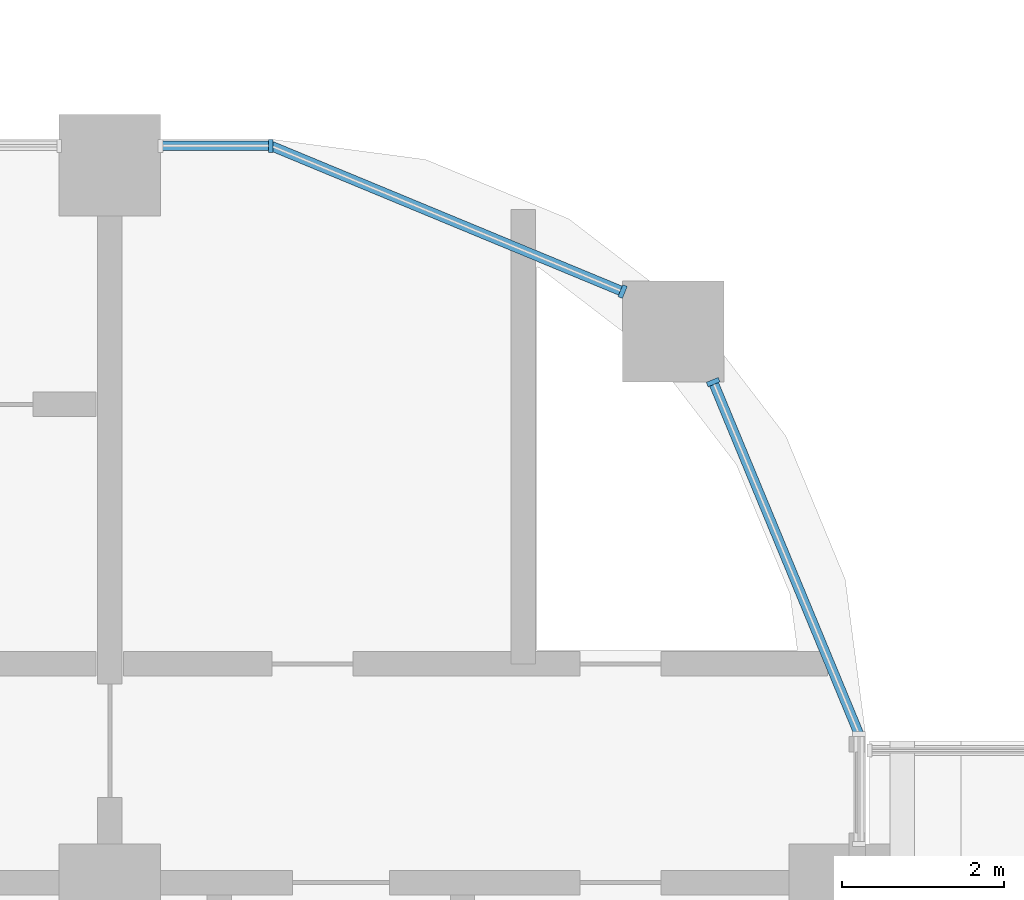
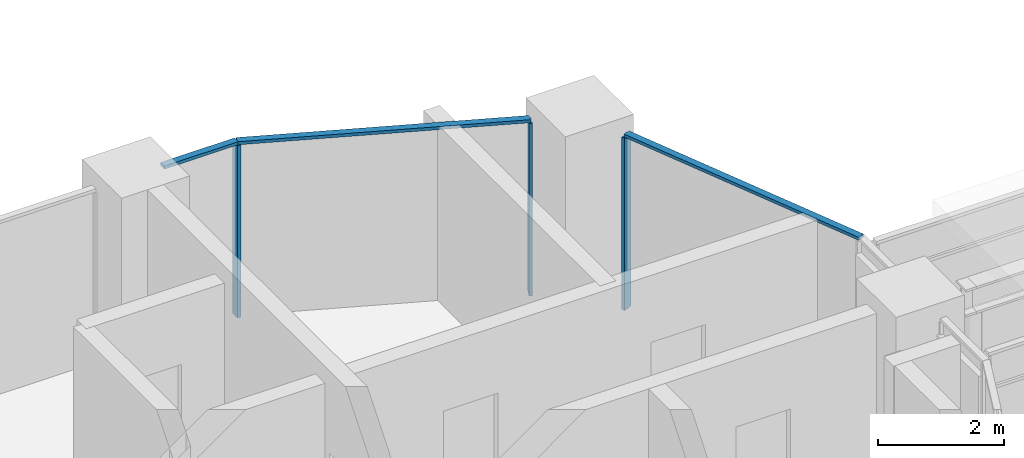
# One storey, part 5 of 33: 6 members, 3 elements without a shape of their own.
"""IFC4 building model written with IfcOpenShell, lengths in metres."""

from ifc_helpers import new_model, si_unit, direction, frame, origin, origin_2d, place, context, subcontext, project, spatial, rectangle, extrude, material, material_profile, profile_set, type_object, element, aggregate, save


model = new_model("IFC4")

# Units and contexts
model_context = context("Model", 3, precision=1e-05, world=origin(), true_north=direction((0.0, 1.0)))
body_context = subcontext(model_context, "Body", "Model", "MODEL_VIEW")
ifc_project = project(units=[si_unit("LENGTHUNIT", "METRE"), si_unit("AREAUNIT", "SQUARE_METRE"), si_unit("VOLUMEUNIT", "CUBIC_METRE"), si_unit("PLANEANGLEUNIT", "RADIAN"), si_unit("MASSUNIT", "GRAM", prefix="KILO")], contexts=[model_context])

# Site, building, storey
site_placement = place(None, origin())
site = spatial("IfcSite", under=ifc_project, at=site_placement, CompositionType="ELEMENT")
building_placement = place(site_placement, origin())
building = spatial("IfcBuilding", under=site, at=building_placement, Name="Ogive Portal Towers", CompositionType="ELEMENT")
storey_placement = place(building_placement, frame((0.0, 0.0, 101.89990234375)))
storey = spatial("IfcBuildingStorey", under=building, at=storey_placement, Name="L24", CompositionType="ELEMENT", Elevation=101.89990234375)

# Curtain wall, member
ifc_material_1 = material(Name="Glass, clear low-iron insulated glazing", Category="glass")
curtain_wall_type = type_object("IfcCurtainWallType", Name="CW FRONT RIBBON 4500", PredefinedType="NOTDEFINED", material=ifc_material_1)
curtain_wall_1_placement = place(storey_placement, origin())
curtain_wall_1 = element("IfcCurtainWall", 1, at=curtain_wall_1_placement, inside=storey, type_object=curtain_wall_type, Name="A:L24:f26:cw0~0", PredefinedType="NOTDEFINED")
ifc_material_2 = material(Name="Aluminium 6063 anodised", Category="aluminium")
ifc_material_profile_1 = material_profile(ifc_material_2, rectangle(XDim=0.159912109375, YDim=0.06005859375, at=origin_2d()), Name="AL 60x160")
ifc_profile_set_1 = profile_set([ifc_material_profile_1], Name="Aluminium 6063 anodised")
member_type_1 = type_object("IfcMemberType", Name="CW MULLION 60x160", PredefinedType="MULLION", material=ifc_profile_set_1)
member_1_placement = place(storey_placement, frame((87.484130859375, 39.739990234375, 0.0), z_axis=(0.0, 0.0, 1.0), x_axis=(0.0, -1.0, 0.0)))
member_1 = element("IfcMember", 2, at=member_1_placement, type_object=member_type_1, Name="mullion", PredefinedType="MULLION", context=body_context, shape_type="SweptSolid", body=[
    extrude(rectangle(XDim=0.159912109375, YDim=0.06005859375, at=origin_2d()), origin(), (0.0, 0.0, 1.0), 3.340087890625),
])

curtain_wall_2_placement = place(storey_placement, origin())
curtain_wall_2 = element("IfcCurtainWall", 3, at=curtain_wall_2_placement, inside=storey, type_object=curtain_wall_type, Name="A:L24:f24:cwa~0", PredefinedType="NOTDEFINED")
member_2_placement = place(storey_placement, frame((92.94189453125, 36.824951171875, 0.0), z_axis=(0.0, 0.0, 1.0), x_axis=(-0.923879532511, -0.382683432365, 0.0)))
member_2 = element("IfcMember", 4, at=member_2_placement, type_object=member_type_1, Name="mullion", PredefinedType="MULLION", context=body_context, shape_type="SweptSolid", body=[
    extrude(rectangle(XDim=0.159912109375, YDim=0.06005859375, at=origin_2d()), origin(), (0.0, 0.0, 1.0), 3.340087890625),
])

curtain_wall_3_placement = place(storey_placement, origin())
curtain_wall_3 = element("IfcCurtainWall", 5, at=curtain_wall_3_placement, inside=storey, type_object=curtain_wall_type, Name="A:L24:f24:cwa~1", PredefinedType="NOTDEFINED")
member_3_placement = place(storey_placement, frame((91.824951171875, 37.94189453125, 0.0), z_axis=(0.0, 0.0, 1.0), x_axis=(-0.382683432365, -0.923879532511, 0.0)))
member_3 = element("IfcMember", 6, at=member_3_placement, type_object=member_type_1, Name="mullion", PredefinedType="MULLION", context=body_context, shape_type="SweptSolid", body=[
    extrude(rectangle(XDim=0.159912109375, YDim=0.06005859375, at=origin_2d()), origin(), (0.0, 0.0, 1.0), 3.340087890625),
])

# Member
ifc_material_profile_2 = material_profile(ifc_material_2, rectangle(XDim=0.1201171875, YDim=0.06005859375, at=origin_2d()), Name="AL 120x60")
ifc_profile_set_2 = profile_set([ifc_material_profile_2], Name="Aluminium 6063 anodised")
member_type_2 = type_object("IfcMemberType", Name="CW TRANSOM 60x120", PredefinedType="USERDEFINED", material=ifc_profile_set_2)
member_4_placement = place(storey_placement, frame((87.484130859375, 39.739990234375, 3.3701171875), z_axis=(-1.0, 0.0, 0.0), x_axis=(0.0, -1.0, 0.0)))
member_4 = element("IfcMember", 7, at=member_4_placement, type_object=member_type_2, Name="transom", ObjectType="TRANSOM", PredefinedType="USERDEFINED", context=body_context, shape_type="SweptSolid", body=[
    extrude(rectangle(XDim=0.1201171875, YDim=0.06005859375, at=origin_2d()), origin(), (0.0, 0.0, 1.0), 1.359130859375),
])

aggregate(curtain_wall_1, [member_4, member_1])

member_5_placement = place(storey_placement, frame((94.739990234375, 32.484130859375, 3.3701171875), z_axis=(-0.382695977742, 0.923874335946, 0.0), x_axis=(-0.923874335946, -0.382695977742, 0.0)))
member_5 = element("IfcMember", 8, at=member_5_placement, type_object=member_type_2, Name="transom", ObjectType="TRANSOM", PredefinedType="USERDEFINED", context=body_context, shape_type="SweptSolid", body=[
    extrude(rectangle(XDim=0.1201171875, YDim=0.06005859375, at=origin_2d()), origin(), (0.0, 0.0, 1.0), 4.698486328125),
])

aggregate(curtain_wall_2, [member_5, member_2])

member_6_placement = place(storey_placement, frame((91.824951171875, 37.94189453125, 3.3701171875), z_axis=(-0.923874335946, 0.382695977742, 0.0), x_axis=(-0.382695977742, -0.923874335946, 0.0)))
member_6 = element("IfcMember", 9, at=member_6_placement, type_object=member_type_2, Name="transom", ObjectType="TRANSOM", PredefinedType="USERDEFINED", context=body_context, shape_type="SweptSolid", body=[
    extrude(rectangle(XDim=0.1201171875, YDim=0.06005859375, at=origin_2d()), origin(), (0.0, 0.0, 1.0), 4.698486328125),
])

aggregate(curtain_wall_3, [member_6, member_3])

save(model, "model.ifc")
